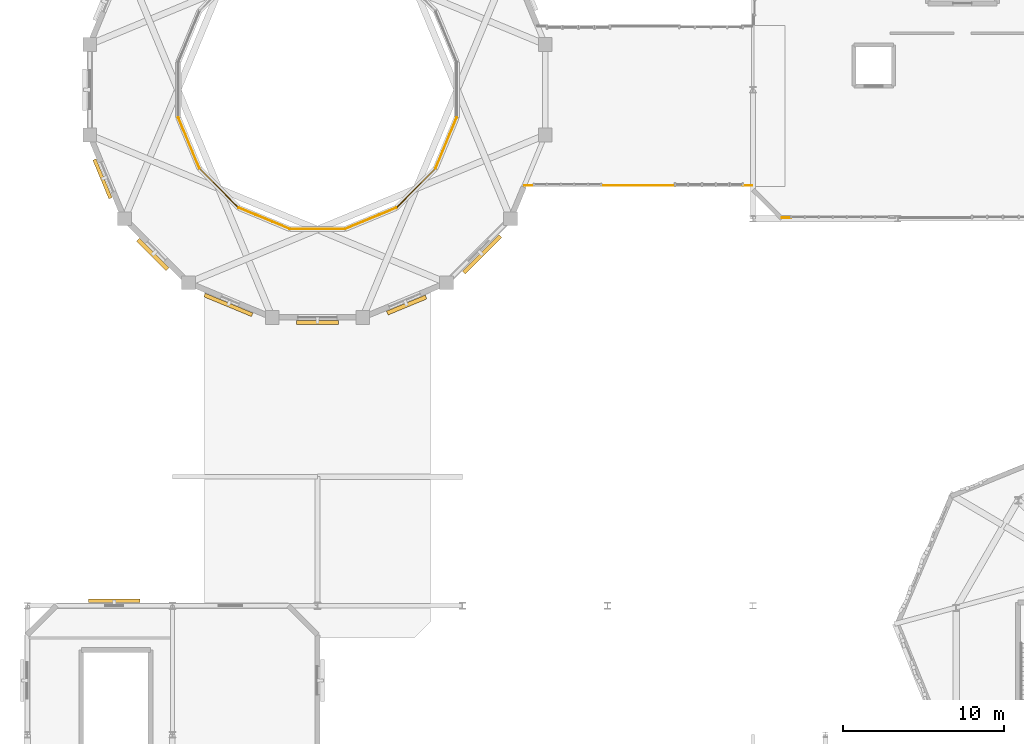
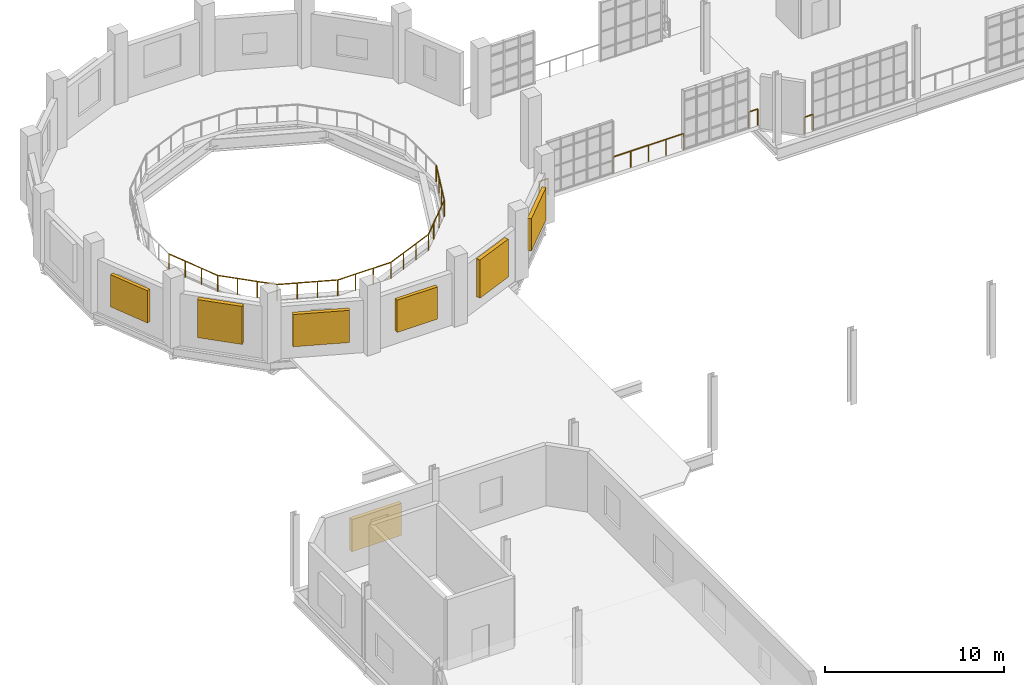
# One storey, part 112 of 122: 11 railings, 7 shading devices.
"""IFC4 building model written with IfcOpenShell, lengths in metres."""

from ifc_helpers import new_model, si_unit, direction, frame, frame_2d, origin, origin_2d, place, context, subcontext, project, spatial, rectangle, circle, extrude, material, type_object, element, save


model = new_model("IFC4")

# Units and contexts
model_context = context("Model", 3, precision=1e-05, world=origin(), true_north=direction((0.0, 1.0)))
body_context = subcontext(model_context, "Body", "Model", "MODEL_VIEW")
ifc_project = project(units=[si_unit("LENGTHUNIT", "METRE"), si_unit("AREAUNIT", "SQUARE_METRE"), si_unit("VOLUMEUNIT", "CUBIC_METRE"), si_unit("PLANEANGLEUNIT", "RADIAN"), si_unit("MASSUNIT", "GRAM", prefix="KILO"), si_unit("THERMODYNAMICTEMPERATUREUNIT", "KELVIN"), si_unit("POWERUNIT", "WATT")], contexts=[model_context])

# Site, building, storey
site_placement = place(None, origin())
site = spatial("IfcSite", under=ifc_project, at=site_placement, CompositionType="ELEMENT")
building_placement = place(site_placement, origin())
building = spatial("IfcBuilding", under=site, at=building_placement, Name="Zelmaris Science Centre", CompositionType="ELEMENT")
storey_placement = place(building_placement, frame((0.0, 0.0, 10.800048828125)))
storey = spatial("IfcBuildingStorey", under=building, at=storey_placement, Name="L02", CompositionType="ELEMENT", Elevation=10.800048828125)

# Railings
ifc_material = material(Name="Architectural bronze alloy C28000")
railing_type = type_object("IfcRailingType", Name="Balustrade GD-01 H1120", PredefinedType="BALUSTRADE", material=ifc_material)
railing_1_placement = place(storey_placement, frame((18.369140625, 70.283203125, 0.0)))
element("IfcRailing", 1, at=railing_1_placement, inside=storey, type_object=railing_type, Name="L02 Planetarium ring gallery balustrade 23", PredefinedType="BALUSTRADE", context=body_context, shape_type="SweptSolid", body=[
    extrude(circle(Radius=0.02392578125, at=origin_2d()), frame((0.0, 0.0, 1.09619140625), z_axis=(0.382690908705, -0.923876435675, 0.0), x_axis=(0.923876435675, 0.382690908705, 0.0)), (0.0, 0.0, 1.0), 3.43359375),
    extrude(circle(Radius=0.02099609375, at=origin_2d()), origin(), (0.0, 0.0, 1.0), 1.072021484375),
    extrude(circle(Radius=0.02099609375, at=origin_2d()), frame((0.43798828125, -1.057373046875, 0.0)), (0.0, 0.0, 1.0), 1.072021484375),
    extrude(circle(Radius=0.02099609375, at=origin_2d()), frame((0.8759765625, -2.11474609375, 0.0)), (0.0, 0.0, 1.0), 1.072021484375),
    extrude(circle(Radius=0.02099609375, at=origin_2d()), frame((1.31396484375, -3.172119140625, 0.0)), (0.0, 0.0, 1.0), 1.072021484375),
])
railing_2_placement = place(storey_placement, frame((19.68310546875, 67.111083984375, 0.0)))
element("IfcRailing", 2, at=railing_2_placement, inside=storey, type_object=railing_type, Name="L02 Planetarium ring gallery balustrade 24", PredefinedType="BALUSTRADE", context=body_context, shape_type="SweptSolid", body=[
    extrude(circle(Radius=0.02392578125, at=origin_2d()), frame((0.0, 0.0, 1.09619140625), z_axis=(0.707106781187, -0.707106781187, 0.0), x_axis=(0.707106781187, 0.707106781187, 0.0)), (0.0, 0.0, 1.0), 3.43359375),
    extrude(circle(Radius=0.02099609375, at=origin_2d()), origin(), (0.0, 0.0, 1.0), 1.072021484375),
    extrude(circle(Radius=0.02099609375, at=origin_2d()), frame((0.809326171875, -0.809326171875, 0.0)), (0.0, 0.0, 1.0), 1.072021484375),
    extrude(circle(Radius=0.02099609375, at=origin_2d()), frame((1.61865234375, -1.61865234375, 0.0)), (0.0, 0.0, 1.0), 1.072021484375),
    extrude(circle(Radius=0.02099609375, at=origin_2d()), frame((2.427978515625, -2.427978515625, 0.0)), (0.0, 0.0, 1.0), 1.072021484375),
])
railing_3_placement = place(storey_placement, frame((22.111083984375, 64.68310546875, 0.0)))
element("IfcRailing", 3, at=railing_3_placement, inside=storey, type_object=railing_type, Name="L02 Planetarium ring gallery balustrade 25", PredefinedType="BALUSTRADE", context=body_context, shape_type="SweptSolid", body=[
    extrude(circle(Radius=0.02392578125, at=origin_2d()), frame((0.0, 0.0, 1.09619140625), z_axis=(0.923876435675, -0.382690908705, 0.0), x_axis=(0.382690908705, 0.923876435675, 0.0)), (0.0, 0.0, 1.0), 3.43359375),
    extrude(circle(Radius=0.02099609375, at=origin_2d()), origin(), (0.0, 0.0, 1.0), 1.072021484375),
    extrude(circle(Radius=0.02099609375, at=origin_2d()), frame((1.057373046875, -0.43798828125, 0.0)), (0.0, 0.0, 1.0), 1.072021484375),
    extrude(circle(Radius=0.02099609375, at=origin_2d()), frame((2.11474609375, -0.8759765625, 0.0)), (0.0, 0.0, 1.0), 1.072021484375),
    extrude(circle(Radius=0.02099609375, at=origin_2d()), frame((3.172119140625, -1.31396484375, 0.0)), (0.0, 0.0, 1.0), 1.072021484375),
])
railing_4_placement = place(storey_placement, frame((25.283203125, 63.369140625, 0.0)))
element("IfcRailing", 4, at=railing_4_placement, inside=storey, type_object=railing_type, Name="L02 Planetarium ring gallery balustrade 26", PredefinedType="BALUSTRADE", context=body_context, shape_type="SweptSolid", body=[
    extrude(circle(Radius=0.02392578125, at=origin_2d()), frame((0.0, 0.0, 1.09619140625), z_axis=(1.0, 0.0, 0.0), x_axis=(0.0, 1.0, 0.0)), (0.0, 0.0, 1.0), 3.43359375),
    extrude(circle(Radius=0.02099609375, at=origin_2d()), origin(), (0.0, 0.0, 1.0), 1.072021484375),
    extrude(circle(Radius=0.02099609375, at=origin_2d()), frame((1.14453125, 0.0, 0.0)), (0.0, 0.0, 1.0), 1.072021484375),
    extrude(circle(Radius=0.02099609375, at=origin_2d()), frame((2.2890625, 0.0, 0.0)), (0.0, 0.0, 1.0), 1.072021484375),
    extrude(circle(Radius=0.02099609375, at=origin_2d()), frame((3.43359375, 0.0, 0.0)), (0.0, 0.0, 1.0), 1.072021484375),
])
railing_5_placement = place(storey_placement, frame((28.716796875, 63.369140625, 0.0)))
element("IfcRailing", 5, at=railing_5_placement, inside=storey, type_object=railing_type, Name="L02 Planetarium ring gallery balustrade 27", PredefinedType="BALUSTRADE", context=body_context, shape_type="SweptSolid", body=[
    extrude(circle(Radius=0.02392578125, at=origin_2d()), frame((0.0, 0.0, 1.09619140625), z_axis=(0.923876435675, 0.382690908705, 0.0), x_axis=(-0.382690908705, 0.923876435675, 0.0)), (0.0, 0.0, 1.0), 3.43359375),
    extrude(circle(Radius=0.02099609375, at=origin_2d()), origin(), (0.0, 0.0, 1.0), 1.072021484375),
    extrude(circle(Radius=0.02099609375, at=origin_2d()), frame((1.057373046875, 0.43798828125, 0.0)), (0.0, 0.0, 1.0), 1.072021484375),
    extrude(circle(Radius=0.02099609375, at=origin_2d()), frame((2.11474609375, 0.8759765625, 0.0)), (0.0, 0.0, 1.0), 1.072021484375),
    extrude(circle(Radius=0.02099609375, at=origin_2d()), frame((3.172119140625, 1.31396484375, 0.0)), (0.0, 0.0, 1.0), 1.072021484375),
])
railing_6_placement = place(storey_placement, frame((31.888916015625, 64.68310546875, 0.0)))
element("IfcRailing", 6, at=railing_6_placement, inside=storey, type_object=railing_type, Name="L02 Planetarium ring gallery balustrade 28", PredefinedType="BALUSTRADE", context=body_context, shape_type="SweptSolid", body=[
    extrude(circle(Radius=0.02392578125, at=origin_2d()), frame((0.0, 0.0, 1.09619140625), z_axis=(0.707106781187, 0.707106781187, 0.0), x_axis=(-0.707106781187, 0.707106781187, 0.0)), (0.0, 0.0, 1.0), 3.43359375),
    extrude(circle(Radius=0.02099609375, at=origin_2d()), origin(), (0.0, 0.0, 1.0), 1.072021484375),
    extrude(circle(Radius=0.02099609375, at=origin_2d()), frame((0.809326171875, 0.809326171875, 0.0)), (0.0, 0.0, 1.0), 1.072021484375),
    extrude(circle(Radius=0.02099609375, at=origin_2d()), frame((1.61865234375, 1.61865234375, 0.0)), (0.0, 0.0, 1.0), 1.072021484375),
    extrude(circle(Radius=0.02099609375, at=origin_2d()), frame((2.427978515625, 2.427978515625, 0.0)), (0.0, 0.0, 1.0), 1.072021484375),
])
railing_7_placement = place(storey_placement, frame((34.31689453125, 67.111083984375, 0.0)))
element("IfcRailing", 7, at=railing_7_placement, inside=storey, type_object=railing_type, Name="L02 Planetarium ring gallery balustrade 29", PredefinedType="BALUSTRADE", context=body_context, shape_type="SweptSolid", body=[
    extrude(circle(Radius=0.02392578125, at=origin_2d()), frame((0.0, 0.0, 1.09619140625), z_axis=(0.382690908705, 0.923876435675, 0.0), x_axis=(-0.923876435675, 0.382690908705, 0.0)), (0.0, 0.0, 1.0), 3.43359375),
    extrude(circle(Radius=0.02099609375, at=origin_2d()), origin(), (0.0, 0.0, 1.0), 1.072021484375),
    extrude(circle(Radius=0.02099609375, at=origin_2d()), frame((0.43798828125, 1.057373046875, 0.0)), (0.0, 0.0, 1.0), 1.072021484375),
    extrude(circle(Radius=0.02099609375, at=origin_2d()), frame((0.8759765625, 2.11474609375, 0.0)), (0.0, 0.0, 1.0), 1.072021484375),
    extrude(circle(Radius=0.02099609375, at=origin_2d()), frame((1.31396484375, 3.172119140625, 0.0)), (0.0, 0.0, 1.0), 1.072021484375),
])
railing_8_placement = place(storey_placement, frame((56.3701171875, 64.059814453125, 0.0)))
element("IfcRailing", 8, at=railing_8_placement, inside=storey, type_object=railing_type, Name="L02 Perimeter safety balustrade 164", PredefinedType="BALUSTRADE", context=body_context, shape_type="SweptSolid", body=[
    extrude(circle(Radius=0.02392578125, at=origin_2d()), frame((0.0, 0.0, 1.09619140625), z_axis=(-0.999999908294, 0.000428265485, 0.0), x_axis=(-0.000428265485, -0.999999908294, 0.0)), (0.0, 0.0, 1.0), 0.570068359375),
    extrude(circle(Radius=0.02099609375, at=origin_2d()), origin(), (0.0, 0.0, 1.0), 1.072021484375),
    extrude(circle(Radius=0.02099609375, at=origin_2d()), frame((-0.570068359375, 0.000244140625, 0.0)), (0.0, 0.0, 1.0), 1.072021484375),
])
railing_9_placement = place(storey_placement, frame((53.94580078125, 66.059814453125, 0.0)))
element("IfcRailing", 9, at=railing_9_placement, inside=storey, type_object=railing_type, Name="L02 Perimeter safety balustrade 165", PredefinedType="BALUSTRADE", context=body_context, shape_type="SweptSolid", body=[
    extrude(circle(Radius=0.02392578125, at=origin_2d()), frame((0.0, 0.0, 1.09619140625), z_axis=(-1.0, 0.0, 0.0), x_axis=(0.0, -1.0, 0.0)), (0.0, 0.0, 1.0), 0.56982421875),
    extrude(circle(Radius=0.02099609375, at=origin_2d()), origin(), (0.0, 0.0, 1.0), 1.072021484375),
    extrude(circle(Radius=0.02099609375, at=origin_2d()), frame((-0.56982421875, 0.0, 0.0)), (0.0, 0.0, 1.0), 1.072021484375),
])
railing_10_placement = place(storey_placement, frame((49.172607421875, 66.059814453125, 0.0)))
element("IfcRailing", 10, at=railing_10_placement, inside=storey, type_object=railing_type, Name="L02 Perimeter safety balustrade 166", PredefinedType="BALUSTRADE", context=body_context, shape_type="SweptSolid", body=[
    extrude(circle(Radius=0.02392578125, at=origin_2d()), frame((0.0, 0.0, 1.09619140625), z_axis=(-1.0, 0.0, 0.0), x_axis=(0.0, -1.0, 0.0)), (0.0, 0.0, 1.0), 4.5634765625),
    extrude(circle(Radius=0.02099609375, at=origin_2d()), origin(), (0.0, 0.0, 1.0), 1.072021484375),
    extrude(circle(Radius=0.02099609375, at=origin_2d()), frame((-1.140869140625, 0.0, 0.0)), (0.0, 0.0, 1.0), 1.072021484375),
    extrude(circle(Radius=0.02099609375, at=origin_2d()), frame((-2.28173828125, 0.0, 0.0)), (0.0, 0.0, 1.0), 1.072021484375),
    extrude(circle(Radius=0.02099609375, at=origin_2d()), frame((-3.422607421875, 0.0, 0.0)), (0.0, 0.0, 1.0), 1.072021484375),
    extrude(circle(Radius=0.02099609375, at=origin_2d()), frame((-4.5634765625, 0.0, 0.0)), (0.0, 0.0, 1.0), 1.072021484375),
])
railing_11_placement = place(storey_placement, frame((40.406005859375, 66.059814453125, 0.0)))
element("IfcRailing", 11, at=railing_11_placement, inside=storey, type_object=railing_type, Name="L02 Perimeter safety balustrade 167", PredefinedType="BALUSTRADE", context=body_context, shape_type="SweptSolid", body=[
    extrude(circle(Radius=0.02392578125, at=origin_2d()), frame((0.0, 0.0, 1.09619140625), z_axis=(-1.0, 0.0, 0.0), x_axis=(0.0, -1.0, 0.0)), (0.0, 0.0, 1.0), 0.570068359375),
    extrude(circle(Radius=0.02099609375, at=origin_2d()), origin(), (0.0, 0.0, 1.0), 1.072021484375),
    extrude(circle(Radius=0.02099609375, at=origin_2d()), frame((-0.570068359375, 0.0, 0.0)), (0.0, 0.0, 1.0), 1.072021484375),
])

# Shading devices
shading_device_type_1 = type_object("IfcShadingDeviceType", Name="Bronze Storm Louvre LV-01 2600x2200", PredefinedType="JALOUSIE", material=ifc_material)
shading_device_1_placement = place(storey_placement, frame((28.300048828125, 57.56689453125, 0.949951171875), z_axis=(0.0, 0.0, 1.0), x_axis=(-1.0, 0.0, 0.0)))
element("IfcShadingDevice", 12, at=shading_device_1_placement, inside=storey, type_object=shading_device_type_1, Name="L02 Bronze storm louvre 25", PredefinedType="JALOUSIE", context=body_context, shape_type="SweptSolid", body=[
    extrude(rectangle(XDim=2.60009765625, YDim=0.219970703125, at=frame_2d((1.300048828125, 0.0))), origin(), (0.0, 0.0, 1.0), 2.199951171875),
])
shading_device_2_placement = place(storey_placement, frame((14.162841796875, 65.275634765625, 0.949951171875), z_axis=(0.0, 0.0, 1.0), x_axis=(-0.382647585897, 0.92389437979, 0.0)))
element("IfcShadingDevice", 13, at=shading_device_2_placement, inside=storey, type_object=shading_device_type_1, Name="L02 Bronze storm louvre 28", PredefinedType="JALOUSIE", context=body_context, shape_type="SweptSolid", body=[
    extrude(rectangle(XDim=2.599853515625, YDim=0.219970703125, at=frame_2d((1.2998046875, 0.0))), origin(), (0.0, 0.0, 1.0), 2.199951171875),
])
shading_device_type_2 = type_object("IfcShadingDeviceType", Name="Bronze Storm Louvre LV-02 3200x2200", PredefinedType="JALOUSIE", material=ifc_material)
for number, where, z_axis, x_axis, name in (
    (14, (38.34423828125, 62.91845703125, 0.949951171875), (0.0, 0.0, 1.0), (-0.707106781187, -0.707106781187, 0.0), "L02 Bronze storm louvre 23"),
    (15, (22.950439453125, 58.044189453125, 0.949951171875), (0.0, 0.0, 1.0), (-0.923844786883, 0.382767304963, 0.0), "L02 Bronze storm louvre 26"),
    (16, (12.800048828125, 40.309814453125, 0.949951171875), (0.0, 0.0, 1.0), (1.0, 0.0, 0.0), "L02 Bronze storm louvre 32"),
):
    element("IfcShadingDevice", number, at=place(storey_placement, frame(where, z_axis=z_axis, x_axis=x_axis)), inside=storey, type_object=shading_device_type_2, Name=name, PredefinedType="JALOUSIE", context=body_context, shape_type="SweptSolid", body=[
        extrude(rectangle(XDim=3.199951171875, YDim=0.239990234375, at=frame_2d((1.60009765625, 0.0))), origin(), (0.0, 0.0, 1.0), 2.199951171875),
    ])
shading_device_type_3 = type_object("IfcShadingDeviceType", Name="Bronze Storm Louvre LV-03 2600x2600", PredefinedType="JALOUSIE", material=ifc_material)
shading_device_3_placement = place(storey_placement, frame((33.73193359375, 59.144287109375, 0.949951171875), z_axis=(0.0, 0.0, 1.0), x_axis=(-0.92389437979, -0.382647585897, 0.0)))
element("IfcShadingDevice", 17, at=shading_device_3_placement, inside=storey, type_object=shading_device_type_3, Name="L02 Bronze storm louvre 24", PredefinedType="JALOUSIE", context=body_context, shape_type="SweptSolid", body=[
    extrude(rectangle(XDim=2.599853515625, YDim=0.260009765625, at=frame_2d((1.2998046875, 0.0))), origin(), (0.0, 0.0, 1.0), 2.60009765625),
])
shading_device_4_placement = place(storey_placement, frame((17.69873046875, 60.861328125, 0.949951171875), z_axis=(0.0, 0.0, 1.0), x_axis=(-0.707153729152, 0.707059830104, 0.0)))
element("IfcShadingDevice", 18, at=shading_device_4_placement, inside=storey, type_object=shading_device_type_3, Name="L02 Bronze storm louvre 27", PredefinedType="JALOUSIE", context=body_context, shape_type="SweptSolid", body=[
    extrude(rectangle(XDim=2.60009765625, YDim=0.260009765625, at=frame_2d((1.300048828125, 0.0))), origin(), (0.0, 0.0, 1.0), 2.60009765625),
])

save(model, "model.ifc")
